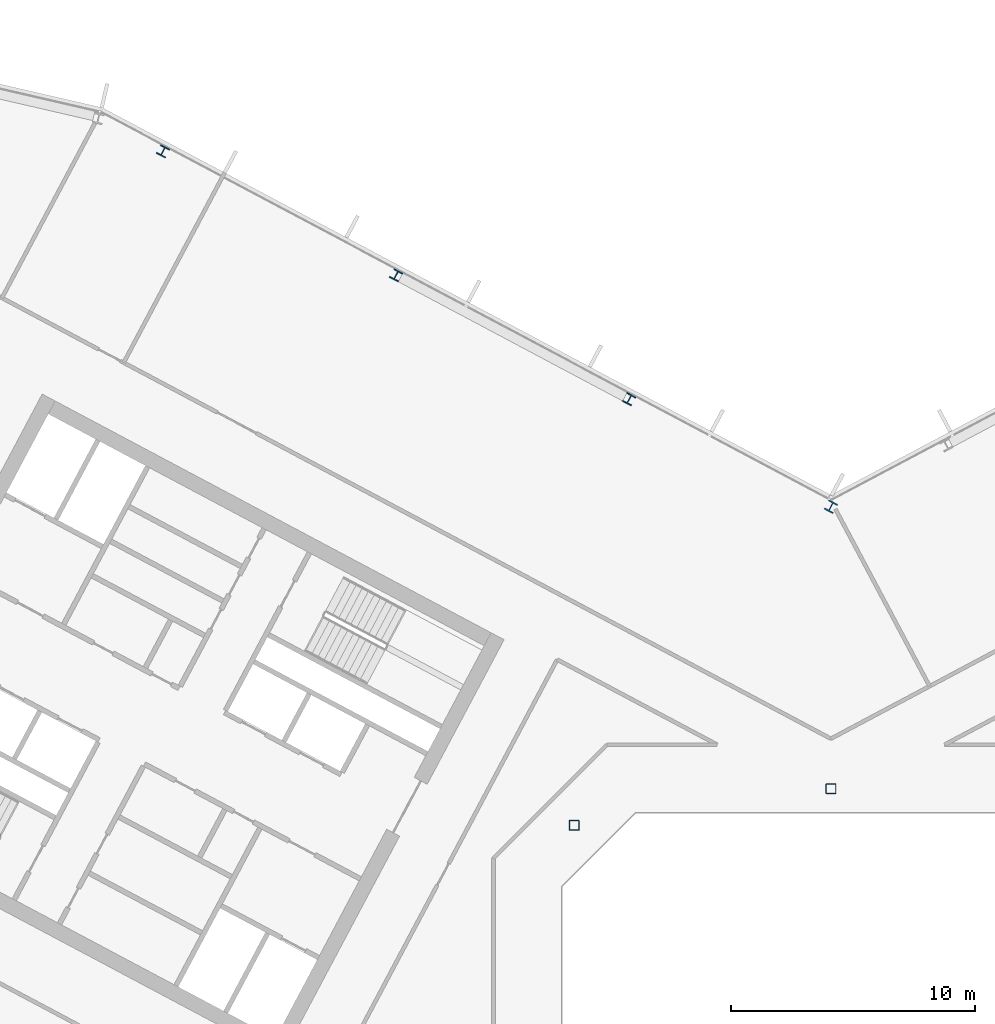
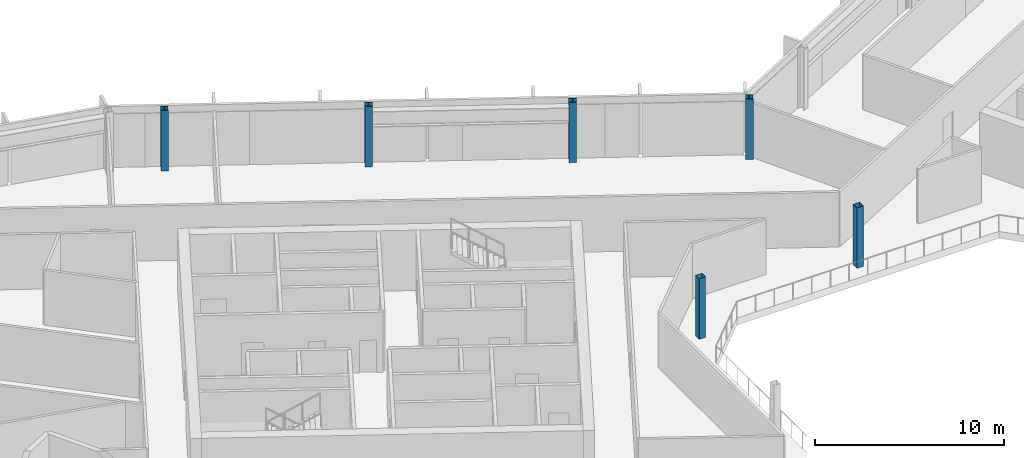
# One storey, part 4 of 31: 6 columns.
"""IFC4 building model written with IfcOpenShell, lengths in metres."""

import ifcopenshell
import ifcopenshell.guid

model = None  # the IFC model being written
_history = None  # IfcOwnerHistory: only IFC2X3 demands one
_inside = {}  # id of a spatial element -> (the spatial element, [elements in it])
_under = {}  # id of a project, library or spatial element -> (it, [spatial elements below it])
_declared = {}  # id of a project -> (the project, [libraries it declares])
_typed = {}  # id of a type object -> (the type object, [elements of that type])
_made_of = {}  # id of a material, layer set ... -> (it, [elements and type objects made of it])


def new_model(schema):
    """Start an empty IFC model of exactly this schema.

    Asked for "IFC4X3", IfcOpenShell would pick the latest addendum, in which some entities
    have other attributes; the version numbers below select the first issue.
    IFC2X3 requires an IfcOwnerHistory on every rooted entity: one is made here for all.
    """
    global model, _history
    if schema == "IFC4X3":
        model = ifcopenshell.file(schema_version=(4, 3, 0, 0))
    else:
        model = ifcopenshell.file(schema=schema)
    _inside.clear()
    _under.clear()
    _declared.clear()
    _typed.clear()
    _made_of.clear()
    _history = None
    if model.schema == "IFC2X3":
        org = make("IfcOrganization", Name="unknown")
        user = make(
            "IfcPersonAndOrganization",
            ThePerson=make("IfcPerson", FamilyName="unknown"),
            TheOrganization=org,
        )
        app = make(
            "IfcApplication",
            ApplicationDeveloper=org,
            Version="unknown",
            ApplicationFullName="unknown",
            ApplicationIdentifier="unknown",
        )
        _history = make(
            "IfcOwnerHistory",
            OwningUser=user,
            OwningApplication=app,
            ChangeAction="ADDED",
            CreationDate=0,
        )
    return model


def make(cls, **values):
    """One entity of the class cls with the attributes given. An attribute that is None is left unset."""
    return model.create_entity(
        cls, **{name: value for name, value in values.items() if value is not None}
    )


def rooted(cls, **values):
    """An entity with a GlobalId (a new one), such as an element, a storey or a relation."""
    return make(cls, GlobalId=ifcopenshell.guid.new(), OwnerHistory=_history, **values)


def si_unit(unit_type, name, prefix=None):
    """IfcSIUnit, for example si_unit("LENGTHUNIT", "METRE", prefix="MILLI")."""
    return make("IfcSIUnit", UnitType=unit_type, Prefix=prefix, Name=name)


def assignment(units):
    """IfcUnitAssignment: the units of a project."""
    return None if units is None else make("IfcUnitAssignment", Units=units)


def point(xyz):
    """IfcCartesianPoint."""
    return None if xyz is None else make("IfcCartesianPoint", Coordinates=xyz)


def direction(xyz):
    """IfcDirection."""
    return None if xyz is None else make("IfcDirection", DirectionRatios=xyz)


def frame(location, z_axis=None, x_axis=None):
    """IfcAxis2Placement3D, a coordinate frame: its origin and axes. An axis left out is left unset."""
    return make(
        "IfcAxis2Placement3D",
        Location=point(location),
        Axis=direction(z_axis),
        RefDirection=direction(x_axis),
    )


def frame_2d(location, x_axis=None):
    """IfcAxis2Placement2D, a coordinate frame in the plane: its origin and x axis."""
    return make(
        "IfcAxis2Placement2D", Location=point(location), RefDirection=direction(x_axis)
    )


def origin():
    """The frame at (0, 0, 0) with its axes left unset."""
    return frame((0.0, 0.0, 0.0))


def origin_2d():
    """The frame at (0, 0) in the plane with its x axis left unset."""
    return frame_2d((0.0, 0.0))


def place(relative_to, where):
    """IfcLocalPlacement: puts the frame where relative to a parent placement (None: the world)."""
    return make(
        "IfcLocalPlacement", PlacementRelTo=relative_to, RelativePlacement=where
    )


def context(
    kind, dimensions, precision=None, world=None, true_north=None, identifier=None
):
    """IfcGeometricRepresentationContext, for example the 3D "Model" context."""
    return make(
        "IfcGeometricRepresentationContext",
        ContextIdentifier=identifier,
        ContextType=kind,
        CoordinateSpaceDimension=dimensions,
        Precision=precision,
        WorldCoordinateSystem=world,
        TrueNorth=true_north,
    )


def subcontext(parent, identifier, kind, view, scale=None):
    """IfcGeometricRepresentationSubContext, for example "Body" below "Model"."""
    return make(
        "IfcGeometricRepresentationSubContext",
        ContextIdentifier=identifier,
        ContextType=kind,
        ParentContext=parent,
        TargetScale=scale,
        TargetView=view,
    )


def project(units=None, contexts=None):
    """IfcProject with its units and contexts."""
    return rooted(
        "IfcProject",
        Name="project",
        RepresentationContexts=contexts,
        UnitsInContext=assignment(units),
    )


def spatial(cls, under=None, at=None, **own):
    """A site, building, storey or space (cls), placed at a placement, below another one or the project."""
    s = rooted(cls, ObjectPlacement=at, **own)
    if under is not None:
        _under.setdefault(under.id(), (under, []))[1].append(s)
    return s


def profile(cls, at=None, kind="AREA", **sizes):
    """A parametric profile (cls). Its sizes go by their IFC names, for example OverallWidth=200.0."""
    return make(cls, ProfileType=kind, Position=at, **sizes)


def hollow_rectangle(**sizes):
    """IfcRectangleHollowProfileDef."""
    return profile("IfcRectangleHollowProfileDef", **sizes)


def i_section(**sizes):
    """IfcIShapeProfileDef."""
    return profile("IfcIShapeProfileDef", **sizes)


def extrude(swept, where, along, depth):
    """IfcExtrudedAreaSolid: the profile swept, set in the frame where, extruded along a direction by depth."""
    return make(
        "IfcExtrudedAreaSolid",
        SweptArea=swept,
        Position=where,
        ExtrudedDirection=direction(along),
        Depth=depth,
    )


def shape(context_of_items, identifier, shape_type, items):
    """IfcShapeRepresentation: the items that make up one representation, for example the "Body"."""
    return make(
        "IfcShapeRepresentation",
        ContextOfItems=context_of_items,
        RepresentationIdentifier=identifier,
        RepresentationType=shape_type,
        Items=items,
    )


def material(Name=None, Category=None):
    """IfcMaterial."""
    return make("IfcMaterial", Name=Name, Category=Category)


def material_profile(
    of_material, cross_section, Name=None, Category=None, Priority=None
):
    """IfcMaterialProfile: a cross section and its material."""
    return make(
        "IfcMaterialProfile",
        Name=Name,
        Material=of_material,
        Profile=cross_section,
        Priority=Priority,
        Category=Category,
    )


def profile_set(profiles, Name=None, composite=None):
    """IfcMaterialProfileSet."""
    return make(
        "IfcMaterialProfileSet",
        Name=Name,
        MaterialProfiles=profiles,
        CompositeProfile=composite,
    )


def made_of(thing, what):
    """Note that an element or type object is made of a material, layer set ...; save() writes the relation."""
    if what is not None:
        _made_of.setdefault(what.id(), (what, []))[1].append(thing)
    return thing


def type_object(cls, material=None, **own):
    """A type object (cls), such as IfcWallType, which elements share."""
    return made_of(rooted(cls, **own), material)


def element(
    cls,
    number,
    at=None,
    inside=None,
    cuts=None,
    type_object=None,
    material=None,
    context=None,
    identifier="Body",
    shape_type=None,
    held_by="IfcProductDefinitionShape",
    body=None,
    shapes=None,
    **own,
):
    """One element of the class cls, such as IfcWall. Its Tag is "e" and its number.

    at: its placement. inside: the storey or other place that contains it. cuts: it is an
    opening in that element (IfcRelVoidsElement). A single representation is given by context,
    identifier, shape_type and body (its items); several are given by shapes. held_by: the class
    of the entity that holds the representations. save() writes the other relations.
    """
    e = rooted(cls, Tag="e%d" % number, ObjectPlacement=at, **own)
    if body is not None:
        shapes = [shape(context, identifier, shape_type, body)]
    if shapes is not None:
        e.Representation = make(held_by, Representations=shapes)
    if inside is not None:
        _inside.setdefault(inside.id(), (inside, []))[1].append(e)
    if cuts is not None:
        rooted(
            "IfcRelVoidsElement", RelatingBuildingElement=cuts, RelatedOpeningElement=e
        )
    if type_object is not None:
        _typed.setdefault(type_object.id(), (type_object, []))[1].append(e)
    return made_of(e, material)


def aggregate(whole, parts):
    """IfcRelAggregates: a whole, such as a stair, and the parts it consists of."""
    return rooted("IfcRelAggregates", RelatingObject=whole, RelatedObjects=parts)


def save(model, path):
    """Write the relations noted so far, then the file.

    IfcRelAggregates (storeys below a building ...), IfcRelContainedInSpatialStructure (elements
    in a storey), IfcRelDefinesByType, IfcRelAssociatesMaterial and IfcRelDeclares: one each for
    every whole, place, type object, material and project.
    """
    for whole, parts in _under.values():
        aggregate(whole, parts)
    for where, things in _inside.values():
        rooted(
            "IfcRelContainedInSpatialStructure",
            RelatedElements=things,
            RelatingStructure=where,
        )
    for kind, things in _typed.values():
        rooted("IfcRelDefinesByType", RelatedObjects=things, RelatingType=kind)
    for what, things in _made_of.values():
        rooted("IfcRelAssociatesMaterial", RelatedObjects=things, RelatingMaterial=what)
    for by, libraries in _declared.values():
        rooted("IfcRelDeclares", RelatingContext=by, RelatedDefinitions=libraries)
    model.write(path)


model = new_model("IFC4")

# Units and contexts
model_context = context("Model", 3, precision=1e-05, world=origin(), true_north=direction((0.0, 1.0)))
body_context = subcontext(model_context, "Body", "Model", "MODEL_VIEW")
ifc_project = project(units=[si_unit("LENGTHUNIT", "METRE"), si_unit("AREAUNIT", "SQUARE_METRE"), si_unit("VOLUMEUNIT", "CUBIC_METRE"), si_unit("PLANEANGLEUNIT", "RADIAN"), si_unit("MASSUNIT", "GRAM", prefix="KILO")], contexts=[model_context])

# Site, building, storey
site_placement = place(None, origin())
site = spatial("IfcSite", under=ifc_project, at=site_placement, CompositionType="ELEMENT")
building_placement = place(site_placement, origin())
building = spatial("IfcBuilding", under=site, at=building_placement, Name="Cormorant Relay Tower", CompositionType="ELEMENT")
storey_placement = place(building_placement, frame((0.0, 0.0, 189.60009765625)))
storey = spatial("IfcBuildingStorey", under=building, at=storey_placement, Name="L40", CompositionType="ELEMENT", Elevation=189.60009765625)

# Columns
ifc_material_1 = material(Name="Steel ASTM A500 Grade C (Fy 345 MPa)", Category="steel")
ifc_material_profile_1 = material_profile(ifc_material_1, hollow_rectangle(XDim=0.406494140625, YDim=0.406494140625, WallThickness=0.0146484375, InnerFilletRadius=0.00732421875, OuterFilletRadius=0.022216796875, at=origin_2d()), Name="HSS406x406x15")
ifc_profile_set_1 = profile_set([ifc_material_profile_1], Name="Steel ASTM A500 Grade C (Fy 345 MPa)")
column_type_1 = type_object("IfcColumnType", Name="Column HSS406x406x15", PredefinedType="COLUMN", material=ifc_profile_set_1)
for number, where, z_axis, x_axis, name in (
    (1, (-10.5, 10.5, 0.0), (0.0, 0.0, 1.0), (1.0, 0.0, 0.0), "Column L40-023"),
    (2, (0.0, 12.0, 0.0), (0.0, 0.0, 1.0), (1.0, 0.0, 0.0), "Column L40-025"),
):
    element("IfcColumn", number, at=place(storey_placement, frame(where, z_axis=z_axis, x_axis=x_axis)), inside=storey, type_object=column_type_1, Name=name, PredefinedType="COLUMN", context=body_context, shape_type="SweptSolid", body=[
        extrude(hollow_rectangle(XDim=0.406494140625, YDim=0.406494140625, WallThickness=0.0146484375, InnerFilletRadius=0.00732421875, OuterFilletRadius=0.022216796875, at=origin_2d()), origin(), (0.0, 0.0, 1.0), 3.89990234375),
    ])
ifc_material_2 = material(Name="Steel ASTM A992 (Fy 345 MPa)", Category="steel")
ifc_material_profile_2 = material_profile(ifc_material_2, i_section(OverallWidth=0.40380859375, OverallDepth=0.406494140625, WebThickness=0.027099609375, FlangeThickness=0.043701171875, FilletRadius=0.01513671875, at=origin_2d()), Name="W360x347")
ifc_profile_set_2 = profile_set([ifc_material_profile_2], Name="Steel ASTM A992 (Fy 345 MPa)")
column_type_2 = type_object("IfcColumnType", Name="Column W360x347", PredefinedType="COLUMN", material=ifc_profile_set_2)
for number, where, z_axis, x_axis, name in (
    (3, (-8.251953125, 27.93408203125, 0.0), (0.0, 0.0, 1.0), (-0.882947592859, 0.469471562786, 0.0), "Column L40-033"),
    (4, (-17.7880859375, 33.00390625, 0.0), (0.0, 0.0, 1.0), (-0.882947592859, 0.469471562786, 0.0), "Column L40-037"),
    (5, (-27.322998046875, 38.073974609375, 0.0), (0.0, 0.0, 1.0), (-0.882947592859, 0.469471562786, 0.0), "Column L40-040"),
):
    element("IfcColumn", number, at=place(storey_placement, frame(where, z_axis=z_axis, x_axis=x_axis)), inside=storey, type_object=column_type_2, Name=name, PredefinedType="COLUMN", context=body_context, shape_type="SweptSolid", body=[
        extrude(i_section(OverallWidth=0.40380859375, OverallDepth=0.406494140625, WebThickness=0.027099609375, FlangeThickness=0.043701171875, FilletRadius=0.01513671875, at=origin_2d()), origin(), (0.0, 0.0, 1.0), 3.89990234375),
    ])
ifc_material_3 = material(Name="Steel ASTM A992 (Fy 345 MPa)", Category="steel")
ifc_material_profile_3 = material_profile(ifc_material_3, i_section(OverallWidth=0.41162109375, OverallDepth=0.434326171875, WebThickness=0.035888671875, FlangeThickness=0.057373046875, FilletRadius=0.01513671875, at=origin_2d()), Name="W360x463")
ifc_profile_set_3 = profile_set([ifc_material_profile_3], Name="Steel ASTM A992 (Fy 345 MPa)")
column_type_3 = type_object("IfcColumnType", Name="Column W360x463", PredefinedType="COLUMN", material=ifc_profile_set_3)
column_placement = place(storey_placement, frame((0.0, 23.533935546875, 0.0), z_axis=(0.0, 0.0, 1.0), x_axis=(-0.882947592859, 0.469471562786, 0.0)))
element("IfcColumn", 6, at=column_placement, inside=storey, type_object=column_type_3, Name="Column L40-030", PredefinedType="COLUMN", context=body_context, shape_type="SweptSolid", body=[
    extrude(i_section(OverallWidth=0.41162109375, OverallDepth=0.434326171875, WebThickness=0.035888671875, FlangeThickness=0.057373046875, FilletRadius=0.01513671875, at=origin_2d()), origin(), (0.0, 0.0, 1.0), 3.89990234375),
])

save(model, "model.ifc")
